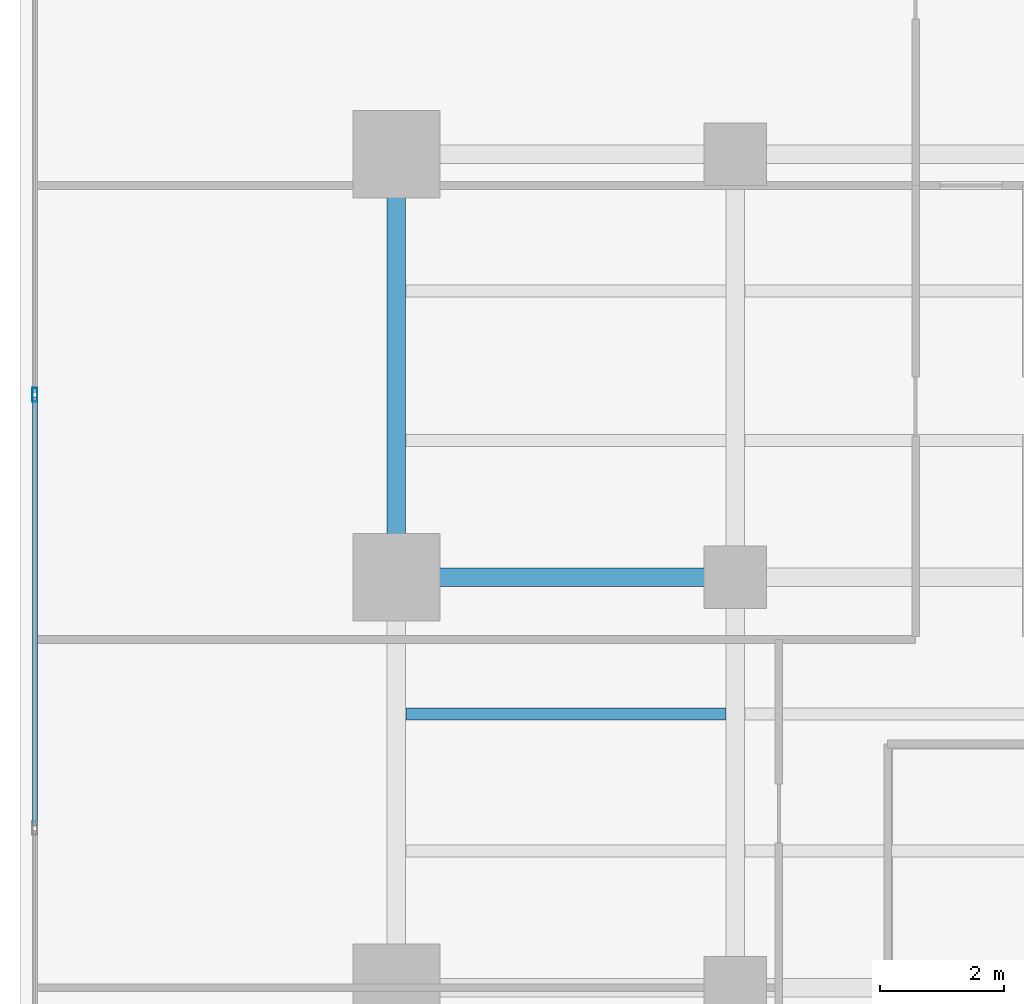
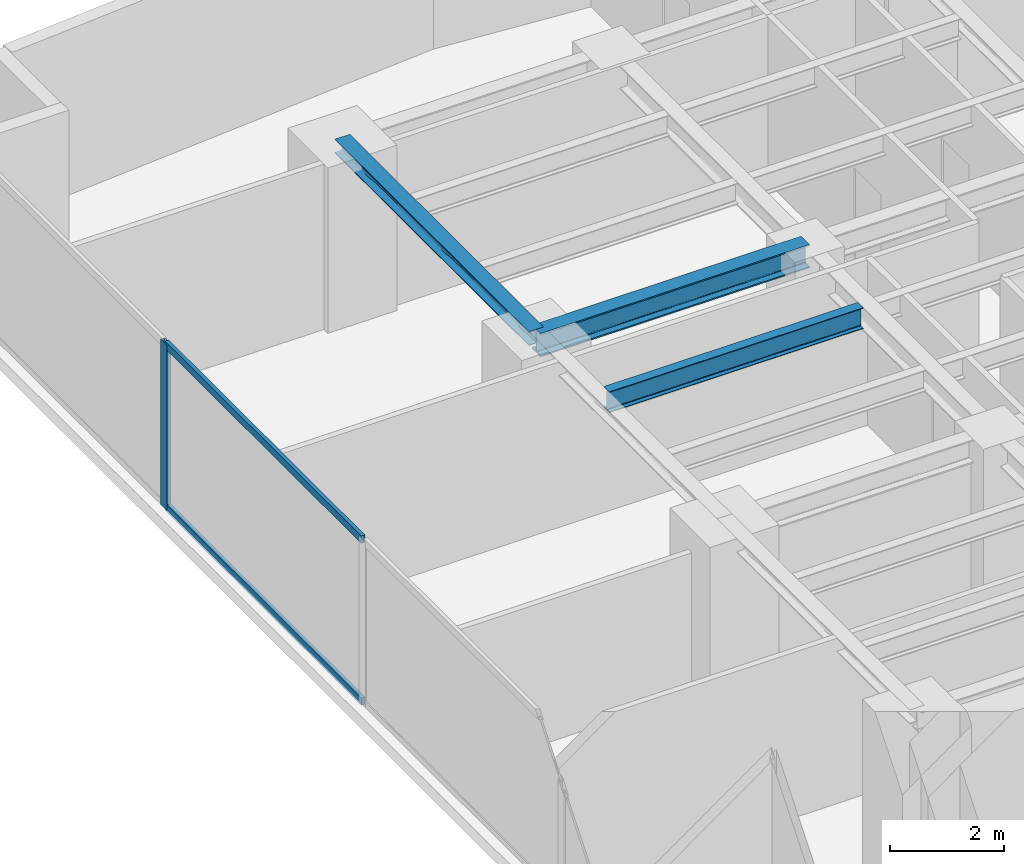
# One storey, part 14 of 26: 3 beams, 3 members, 1 element without a shape of its own.
"""IFC4 building model written with IfcOpenShell, lengths in metres."""

from ifc_helpers import new_model, si_unit, direction, frame, origin, origin_with_axes, origin_2d, place, context, subcontext, project, spatial, hollow_rectangle, i_section, extrude, source, transform, mapped, material, layer, layer_set, material_profile, profile_set, type_object, element, aggregate, save


model = new_model("IFC4")

# Units and contexts
model_context = context("Model", 3, precision=1e-05, world=origin(), true_north=direction((0.0, 1.0)))
body_context = subcontext(model_context, "Body", "Model", "MODEL_VIEW")
ifc_project = project(units=[si_unit("LENGTHUNIT", "METRE"), si_unit("AREAUNIT", "SQUARE_METRE"), si_unit("VOLUMEUNIT", "CUBIC_METRE"), si_unit("PLANEANGLEUNIT", "RADIAN"), si_unit("MASSUNIT", "GRAM", prefix="KILO")], contexts=[model_context])

# Site, building, storey
site_placement = place(None, origin())
site = spatial("IfcSite", under=ifc_project, at=site_placement, CompositionType="ELEMENT")
building_placement = place(site_placement, origin())
building = spatial("IfcBuilding", under=site, at=building_placement, Name="Kolvaren Waterfront Exchange", CompositionType="ELEMENT")
storey_placement = place(building_placement, frame((0.0, 0.0, 122.10009765625)))
storey = spatial("IfcBuildingStorey", under=building, at=storey_placement, Name="L31", CompositionType="ELEMENT", Elevation=122.10009765625)

# Beams
ifc_material_1 = material(Name="Steel S355", Category="steel")
ifc_material_profile_1 = material_profile(ifc_material_1, i_section(OverallWidth=0.300048828125, OverallDepth=0.300048828125, WebThickness=0.010986328125, FlangeThickness=0.01904296875, FilletRadius=0.027099609375, at=origin_2d()), Name="HEB300")
ifc_profile_set_1 = profile_set([ifc_material_profile_1], Name="Steel S355")
beam_type_1 = type_object("IfcBeamType", Name="STR-BM-HEB300", PredefinedType="SPANDREL", material=ifc_profile_set_1)
beam_1_placement = place(storey_placement, frame((7.449951171875, 37.800048828125, 3.389892578125), z_axis=(0.0, 1.0, 0.0), x_axis=(-1.0, 0.0, 0.0)))
element("IfcBeam", 1, at=beam_1_placement, inside=storey, type_object=beam_type_1, Name="L31 north-arm edge beam 3", PredefinedType="SPANDREL", context=body_context, shape_type="SweptSolid", body=[
    extrude(i_section(OverallWidth=0.300048828125, OverallDepth=0.300048828125, WebThickness=0.010986328125, FlangeThickness=0.01904296875, FilletRadius=0.027099609375, at=origin_2d()), origin(), (0.0, 0.0, 1.0), 6.800048828125),
])
ifc_material_profile_2 = material_profile(ifc_material_1, i_section(OverallWidth=0.300048828125, OverallDepth=0.5, WebThickness=0.014404296875, FlangeThickness=0.028076171875, FilletRadius=0.027099609375, at=origin_2d()), Name="HEB500")
ifc_profile_set_2 = profile_set([ifc_material_profile_2], Name="Steel S355")
beam_type_2 = type_object("IfcBeamType", Name="STR-BM-HEB500", PredefinedType="BEAM", material=ifc_profile_set_2)
beam_2_placement = place(storey_placement, frame((7.449951171875, 37.800048828125, 3.289794921875), z_axis=(1.0, 0.0, 0.0), x_axis=(0.0, 1.0, 0.0)))
element("IfcBeam", 2, at=beam_2_placement, inside=storey, type_object=beam_type_2, Name="L31 north-arm girder 3A", PredefinedType="BEAM", context=body_context, shape_type="SweptSolid", body=[
    extrude(i_section(OverallWidth=0.300048828125, OverallDepth=0.5, WebThickness=0.014404296875, FlangeThickness=0.028076171875, FilletRadius=0.027099609375, at=origin_2d()), origin(), (0.0, 0.0, 1.0), 5.449951171875),
])
ifc_material_profile_3 = material_profile(ifc_material_1, i_section(OverallWidth=0.18994140625, OverallDepth=0.449951171875, WebThickness=0.009521484375, FlangeThickness=0.0146484375, FilletRadius=0.02099609375, at=origin_2d()), Name="IPE450")
ifc_profile_set_3 = profile_set([ifc_material_profile_3], Name="Steel S355")
beam_type_3 = type_object("IfcBeamType", Name="STR-BM-IPE450", PredefinedType="JOIST", material=ifc_profile_set_3)
beam_3_placement = place(storey_placement, frame((7.60205078125, 35.60009765625, 3.31494140625), z_axis=(1.0, 0.0, 0.0), x_axis=(0.0, 1.0, 0.0)))
element("IfcBeam", 3, at=beam_3_placement, inside=storey, type_object=beam_type_3, Name="L31 north-arm composite joist 4A", PredefinedType="JOIST", context=body_context, shape_type="SweptSolid", body=[
    extrude(i_section(OverallWidth=0.18994140625, OverallDepth=0.449951171875, WebThickness=0.009521484375, FlangeThickness=0.0146484375, FilletRadius=0.02099609375, at=origin_2d()), origin(), (0.0, 0.0, 1.0), 5.14599609375),
])

# Curtain wall, members
ifc_material_2 = material(Name="Anodised aluminium 6063-T6", Category="aluminium")
ifc_layer = layer(ifc_material_2, 0.219970703125, Name="Anodised aluminium 6063-T6")
ifc_layer_set = layer_set([ifc_layer], Name="Anodised aluminium 6063-T6")
curtain_wall_type = type_object("IfcCurtainWallType", Name="ARC-CW-SYS2", PredefinedType="USERDEFINED", material=ifc_layer_set)
curtain_wall_placement = place(storey_placement, origin())
curtain_wall = element("IfcCurtainWall", 4, at=curtain_wall_placement, inside=storey, type_object=curtain_wall_type, Name="L31 stick curtain wall CW2 (CW-L31-W)", ObjectType="STICK CURTAIN WALL", PredefinedType="USERDEFINED")
ifc_material_profile_4 = material_profile(ifc_material_2, hollow_rectangle(XDim=0.080078125, YDim=0.219970703125, WallThickness=0.0048828125, at=origin_2d()), Name="ALU-MUL-220x80x5")
ifc_profile_set_4 = profile_set([ifc_material_profile_4], Name="Anodised aluminium 6063-T6")
member_type_1 = type_object("IfcMemberType", Name="ARC-CWM-220", PredefinedType="MULLION", material=ifc_profile_set_4)
shared_shape_1 = source(origin_with_axes(), body_context, "Body", "SweptSolid", [
    extrude(hollow_rectangle(XDim=0.080078125, YDim=0.219970703125, WallThickness=0.0048828125, at=origin_2d()), origin(), (0.0, 0.0, 1.0), 3.539794921875),
])
member_1_placement = place(storey_placement, frame((1.639892578125, 40.7333984375, 0.0), z_axis=(0.0, 0.0, 1.0), x_axis=(-1.0, 0.0, 0.0)))
member_1 = element("IfcMember", 5, at=member_1_placement, type_object=member_type_1, Name="CW2 mullion 6", PredefinedType="MULLION", context=body_context, shape_type="MappedRepresentation", body=[
    mapped(shared_shape_1, transform((0.0, 0.0, 0.0), x_axis=(1.0, 0.0, 0.0), y_axis=(0.0, 1.0, 0.0), z_axis=(0.0, 0.0, 1.0), scale=1.0)),
])
ifc_material_profile_5 = material_profile(ifc_material_2, hollow_rectangle(XDim=0.074951171875, YDim=0.159912109375, WallThickness=0.00439453125, at=origin_2d()), Name="ALU-TRN-160x75x4.5")
ifc_profile_set_5 = profile_set([ifc_material_profile_5], Name="Anodised aluminium 6063-T6")
member_type_2 = type_object("IfcMemberType", Name="ARC-CWT-160", PredefinedType="USERDEFINED", material=ifc_profile_set_5)
shared_shape_2 = source(origin_with_axes(), body_context, "Body", "SweptSolid", [
    extrude(hollow_rectangle(XDim=0.074951171875, YDim=0.159912109375, WallThickness=0.00439453125, at=origin_2d()), origin(), (0.0, 0.0, 1.0), 6.88671875),
])
member_2_placement = place(storey_placement, frame((1.639892578125, 33.806640625, 0.037353515625), z_axis=(0.0, 1.0, 0.0), x_axis=(-1.0, 0.0, 0.0)))
member_2 = element("IfcMember", 6, at=member_2_placement, type_object=member_type_2, Name="CW2 transom 5.1", ObjectType="TRANSOM", PredefinedType="USERDEFINED", context=body_context, shape_type="MappedRepresentation", body=[
    mapped(shared_shape_2, transform((0.0, 0.0, 0.0), x_axis=(1.0, 0.0, 0.0), y_axis=(0.0, 1.0, 0.0), z_axis=(0.0, 0.0, 1.0), scale=1.0)),
])
member_3_placement = place(storey_placement, frame((1.639892578125, 33.806640625, 3.50244140625), z_axis=(0.0, 1.0, 0.0), x_axis=(-1.0, 0.0, 0.0)))
member_3 = element("IfcMember", 7, at=member_3_placement, type_object=member_type_2, Name="CW2 transom 5.2", ObjectType="TRANSOM", PredefinedType="USERDEFINED", context=body_context, shape_type="MappedRepresentation", body=[
    mapped(shared_shape_2, transform((0.0, 0.0, 0.0), x_axis=(1.0, 0.0, 0.0), y_axis=(0.0, 1.0, 0.0), z_axis=(0.0, 0.0, 1.0), scale=1.0)),
])
aggregate(curtain_wall, [member_1, member_2, member_3])

save(model, "model.ifc")
